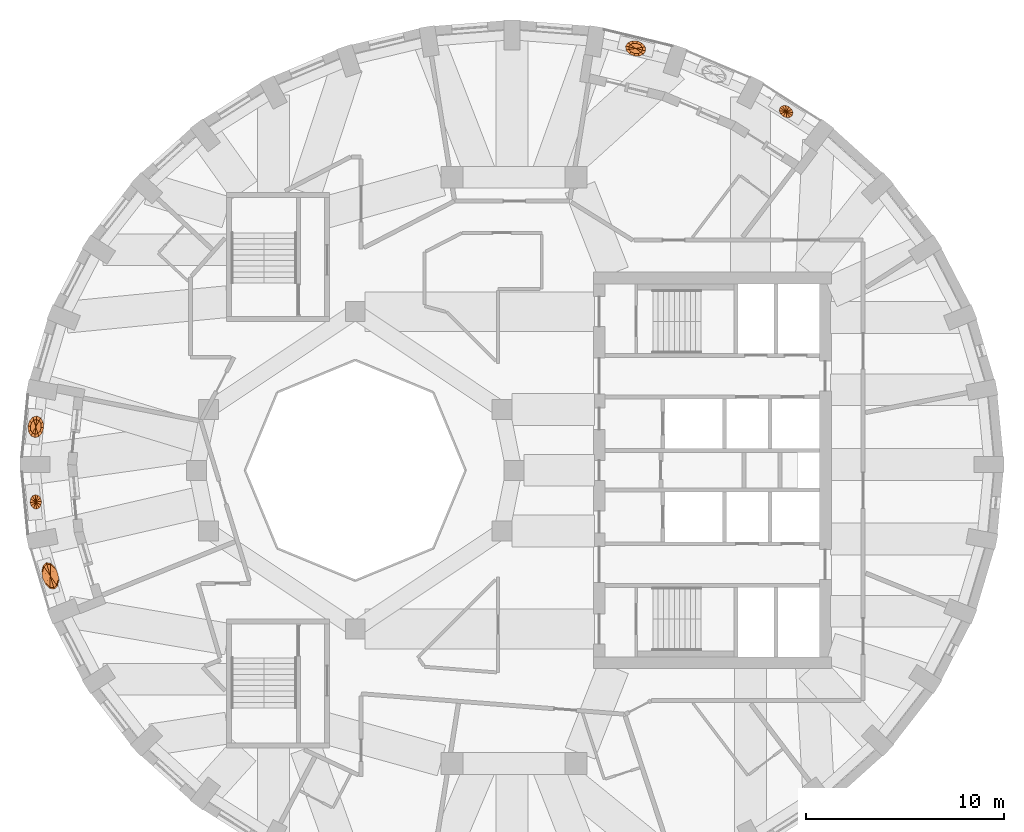
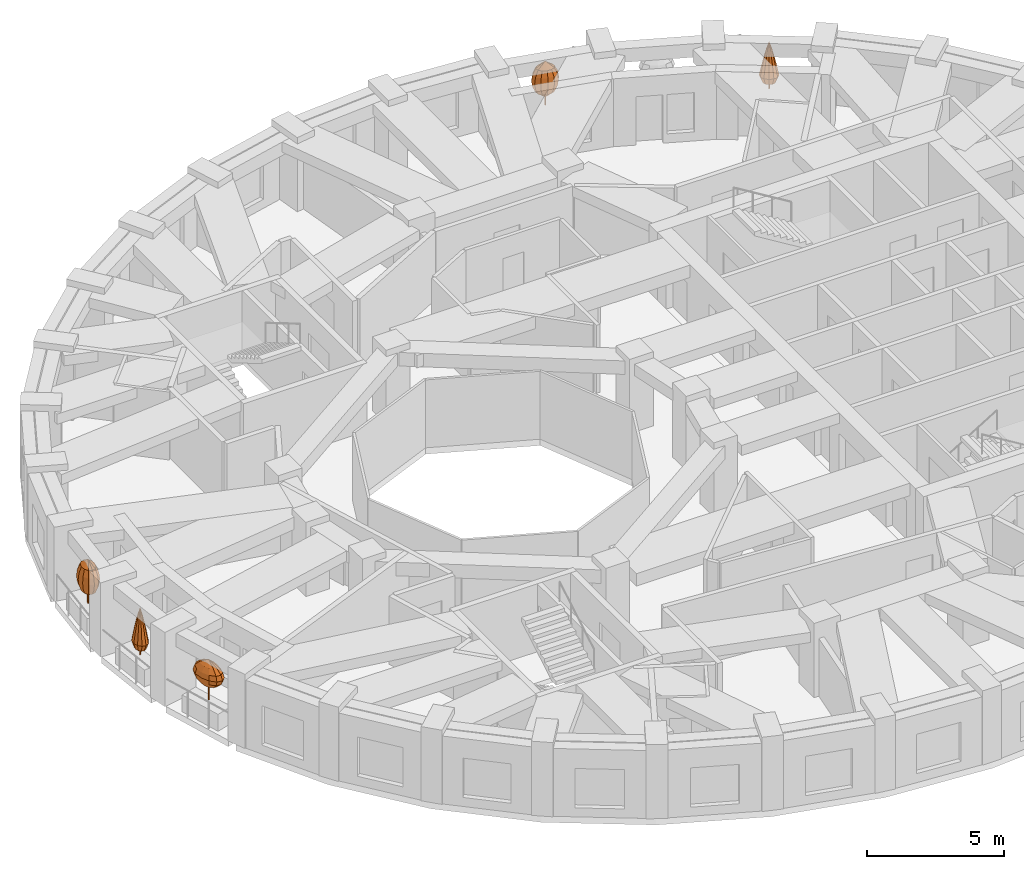
# One storey, part 11 of 12: 5 geographic elements.
"""IFC4 building model written with IfcOpenShell, lengths in metres."""

from ifc_helpers import new_model, si_unit, direction, frame, origin, place, context, subcontext, project, spatial, faceted_brep, material, constituent, constituent_set, type_object, element, save


model = new_model("IFC4")

# Units and contexts
model_context = context("Model", 3, precision=1e-05, world=origin(), true_north=direction((0.0, 1.0)))
body_context = subcontext(model_context, "Body", "Model", "MODEL_VIEW")
ifc_project = project(units=[si_unit("LENGTHUNIT", "METRE"), si_unit("AREAUNIT", "SQUARE_METRE"), si_unit("VOLUMEUNIT", "CUBIC_METRE"), si_unit("PLANEANGLEUNIT", "RADIAN"), si_unit("MASSUNIT", "GRAM", prefix="KILO")], contexts=[model_context])

# Site, building, storey
site_placement = place(None, origin())
site = spatial("IfcSite", under=ifc_project, at=site_placement, CompositionType="ELEMENT")
building_placement = place(site_placement, origin())
building = spatial("IfcBuilding", under=site, at=building_placement, Name="Taillehof Tower", CompositionType="ELEMENT")
storey_placement = place(building_placement, frame((0.0, 0.0, 233.300048828125)))
storey = spatial("IfcBuildingStorey", under=building, at=storey_placement, Name="L66", CompositionType="ELEMENT", Elevation=233.300048828125)

# Geographic elements
ifc_material_1 = material(Name="Tree bark", Category="timber")
ifc_constituent_1 = constituent(ifc_material_1, Name="Trunk", Category="timber")
ifc_material_2 = material(Name="Tree foliage")
ifc_constituent_2 = constituent(ifc_material_2, Name="Crown")
ifc_constituent_set_1 = constituent_set(constituents=[ifc_constituent_1, ifc_constituent_2], Name="Tree TR2 Fastigiate yew")
geographic_element_type_1 = type_object("IfcGeographicElementType", Name="Tree TR2 Fastigiate yew", PredefinedType="USERDEFINED", material=ifc_constituent_set_1)
geographic_element_1_placement = place(storey_placement, frame((-24.103271484375, 2.192626953125, 0.75)))
element("IfcGeographicElement", 1, at=geographic_element_1_placement, inside=storey, type_object=geographic_element_type_1, Name="Tree TR2 Fastigiate yew", ObjectType="TREE", PredefinedType="USERDEFINED", context=body_context, shape_type="Brep", body=[
    faceted_brep([(0.034912109375, 0.0, 0.0), (0.024658203125, 0.024658203125, 0.0), (0.024658203125, 0.024658203125, 0.909912109375), (0.034912109375, 0.0, 0.909912109375), (0.0, 0.034912109375, 0.0), (0.0, 0.034912109375, 0.909912109375), (-0.024658203125, 0.024658203125, 0.0), (-0.024658203125, 0.024658203125, 0.909912109375), (-0.034912109375, 0.0, 0.0), (-0.034912109375, 0.0, 0.909912109375), (-0.024658203125, -0.024658203125, 0.0), (-0.024658203125, -0.024658203125, 0.909912109375), (0.0, -0.034912109375, 0.0), (0.0, -0.034912109375, 0.909912109375), (0.024658203125, -0.024658203125, 0.0), (0.024658203125, -0.024658203125, 0.909912109375)], [[[0, 1, 2, 3]], [[1, 4, 5, 2]], [[4, 6, 7, 5]], [[6, 8, 9, 7]], [[8, 10, 11, 9]], [[10, 12, 13, 11]], [[12, 14, 15, 13]], [[14, 0, 3, 15]], [[14, 12, 10, 8, 6, 4, 1, 0]], [[3, 2, 5, 7, 9, 11, 13, 15]]]),
    faceted_brep([(0.0, 0.0, 0.35009765625), (0.1044921875, -0.3369140625, 0.61669921875), (-0.036376953125, -0.373779296875, 0.61669921875), (0.21728515625, -0.209716796875, 0.61669921875), (0.27197265625, -0.0263671875, 0.61669921875), (0.253662109375, 0.1640625, 0.61669921875), (0.16748046875, 0.310546875, 0.61669921875), (0.036376953125, 0.373779296875, 0.61669921875), (-0.1044921875, 0.3369140625, 0.61669921875), (-0.21728515625, 0.209716796875, 0.61669921875), (-0.27197265625, 0.0263671875, 0.61669921875), (-0.253662109375, -0.1640625, 0.61669921875), (-0.16748046875, -0.310546875, 0.61669921875), (0.141357421875, -0.455810546875, 0.88330078125), (-0.049072265625, -0.505859375, 0.88330078125), (0.2939453125, -0.283935546875, 0.88330078125), (0.367919921875, -0.03564453125, 0.88330078125), (0.343017578125, 0.221923828125, 0.88330078125), (0.2265625, 0.420166015625, 0.88330078125), (0.049072265625, 0.505859375, 0.88330078125), (-0.141357421875, 0.455810546875, 0.88330078125), (-0.2939453125, 0.283935546875, 0.88330078125), (-0.367919921875, 0.03564453125, 0.88330078125), (-0.343017578125, -0.221923828125, 0.88330078125), (-0.2265625, -0.420166015625, 0.88330078125), (0.153076171875, -0.493408203125, 1.14990234375), (-0.05322265625, -0.54736328125, 1.14990234375), (0.318115234375, -0.30712890625, 1.14990234375), (0.398193359375, -0.03857421875, 1.14990234375), (0.371337890625, 0.240234375, 1.14990234375), (0.2451171875, 0.454833984375, 1.14990234375), (0.05322265625, 0.54736328125, 1.14990234375), (-0.153076171875, 0.493408203125, 1.14990234375), (-0.318115234375, 0.30712890625, 1.14990234375), (-0.398193359375, 0.03857421875, 1.14990234375), (-0.371337890625, -0.240234375, 1.14990234375), (-0.2451171875, -0.454833984375, 1.14990234375), (0.141357421875, -0.455810546875, 1.416748046875), (-0.049072265625, -0.505859375, 1.416748046875), (0.2939453125, -0.283935546875, 1.416748046875), (0.367919921875, -0.03564453125, 1.416748046875), (0.343017578125, 0.221923828125, 1.416748046875), (0.2265625, 0.420166015625, 1.416748046875), (0.049072265625, 0.505859375, 1.416748046875), (-0.141357421875, 0.455810546875, 1.416748046875), (-0.2939453125, 0.283935546875, 1.416748046875), (-0.367919921875, 0.03564453125, 1.416748046875), (-0.343017578125, -0.221923828125, 1.416748046875), (-0.2265625, -0.420166015625, 1.416748046875), (0.1044921875, -0.3369140625, 1.683349609375), (-0.036376953125, -0.373779296875, 1.683349609375), (0.21728515625, -0.209716796875, 1.683349609375), (0.27197265625, -0.0263671875, 1.683349609375), (0.253662109375, 0.1640625, 1.683349609375), (0.16748046875, 0.310546875, 1.683349609375), (0.036376953125, 0.373779296875, 1.683349609375), (-0.1044921875, 0.3369140625, 1.683349609375), (-0.21728515625, 0.209716796875, 1.683349609375), (-0.27197265625, 0.0263671875, 1.683349609375), (-0.253662109375, -0.1640625, 1.683349609375), (-0.16748046875, -0.310546875, 1.683349609375), (0.0, 0.0, 1.949951171875)], [[[0, 1, 2]], [[0, 3, 1]], [[0, 4, 3]], [[0, 5, 4]], [[0, 6, 5]], [[0, 7, 6]], [[0, 8, 7]], [[0, 9, 8]], [[0, 10, 9]], [[0, 11, 10]], [[0, 12, 11]], [[0, 2, 12]], [[2, 1, 13, 14]], [[1, 3, 15, 13]], [[3, 4, 16, 15]], [[4, 5, 17, 16]], [[5, 6, 18, 17]], [[6, 7, 19, 18]], [[7, 8, 20, 19]], [[8, 9, 21, 20]], [[9, 10, 22, 21]], [[10, 11, 23, 22]], [[11, 12, 24, 23]], [[12, 2, 14, 24]], [[14, 13, 25, 26]], [[13, 15, 27, 25]], [[15, 16, 28, 27]], [[16, 17, 29, 28]], [[17, 18, 30, 29]], [[18, 19, 31, 30]], [[19, 20, 32, 31]], [[20, 21, 33, 32]], [[21, 22, 34, 33]], [[22, 23, 35, 34]], [[23, 24, 36, 35]], [[24, 14, 26, 36]], [[26, 25, 37, 38]], [[25, 27, 39, 37]], [[27, 28, 40, 39]], [[28, 29, 41, 40]], [[29, 30, 42, 41]], [[30, 31, 43, 42]], [[31, 32, 44, 43]], [[32, 33, 45, 44]], [[33, 34, 46, 45]], [[34, 35, 47, 46]], [[35, 36, 48, 47]], [[36, 26, 38, 48]], [[38, 37, 49, 50]], [[37, 39, 51, 49]], [[39, 40, 52, 51]], [[40, 41, 53, 52]], [[41, 42, 54, 53]], [[42, 43, 55, 54]], [[43, 44, 56, 55]], [[44, 45, 57, 56]], [[45, 46, 58, 57]], [[46, 47, 59, 58]], [[47, 48, 60, 59]], [[48, 38, 50, 60]], [[50, 49, 61]], [[49, 51, 61]], [[51, 52, 61]], [[52, 53, 61]], [[53, 54, 61]], [[54, 55, 61]], [[55, 56, 61]], [[56, 57, 61]], [[57, 58, 61]], [[58, 59, 61]], [[59, 60, 61]], [[60, 50, 61]]]),
])
geographic_element_2_placement = place(storey_placement, frame((6.1337890625, 21.266357421875, 0.75)))
element("IfcGeographicElement", 2, at=geographic_element_2_placement, inside=storey, type_object=geographic_element_type_1, Name="Tree TR2 Fastigiate yew", ObjectType="TREE", PredefinedType="USERDEFINED", context=body_context, shape_type="Brep", body=[
    faceted_brep([(0.034912109375, 0.0, 0.0), (0.024658203125, 0.024658203125, 0.0), (0.024658203125, 0.024658203125, 0.909912109375), (0.034912109375, 0.0, 0.909912109375), (0.0, 0.034912109375, 0.0), (0.0, 0.034912109375, 0.909912109375), (-0.024658203125, 0.024658203125, 0.0), (-0.024658203125, 0.024658203125, 0.909912109375), (-0.034912109375, 0.0, 0.0), (-0.034912109375, 0.0, 0.909912109375), (-0.024658203125, -0.024658203125, 0.0), (-0.024658203125, -0.024658203125, 0.909912109375), (0.0, -0.034912109375, 0.0), (0.0, -0.034912109375, 0.909912109375), (0.024658203125, -0.024658203125, 0.0), (0.024658203125, -0.024658203125, 0.909912109375)], [[[0, 1, 2, 3]], [[1, 4, 5, 2]], [[4, 6, 7, 5]], [[6, 8, 9, 7]], [[8, 10, 11, 9]], [[10, 12, 13, 11]], [[12, 14, 15, 13]], [[14, 0, 3, 15]], [[14, 12, 10, 8, 6, 4, 1, 0]], [[3, 2, 5, 7, 9, 11, 13, 15]]]),
    faceted_brep([(0.0, 0.0, 0.35009765625), (-0.330810546875, -0.0537109375, 0.61669921875), (-0.346923828125, 0.083740234375, 0.61669921875), (-0.22607421875, -0.1767578125, 0.61669921875), (-0.060791015625, -0.252197265625, 0.61669921875), (0.120849609375, -0.26025390625, 0.61669921875), (0.27001953125, -0.19873046875, 0.61669921875), (0.346923828125, -0.083740234375, 0.61669921875), (0.330810546875, 0.0537109375, 0.61669921875), (0.22607421875, 0.1767578125, 0.61669921875), (0.060791015625, 0.252197265625, 0.61669921875), (-0.120849609375, 0.26025390625, 0.61669921875), (-0.27001953125, 0.19873046875, 0.61669921875), (-0.447509765625, -0.072509765625, 0.88330078125), (-0.46923828125, 0.11328125, 0.88330078125), (-0.305908203125, -0.239013671875, 0.88330078125), (-0.082275390625, -0.34130859375, 0.88330078125), (0.163330078125, -0.352294921875, 0.88330078125), (0.365234375, -0.268798828125, 0.88330078125), (0.46923828125, -0.11328125, 0.88330078125), (0.447509765625, 0.072509765625, 0.88330078125), (0.305908203125, 0.239013671875, 0.88330078125), (0.082275390625, 0.34130859375, 0.88330078125), (-0.163330078125, 0.352294921875, 0.88330078125), (-0.365234375, 0.268798828125, 0.88330078125), (-0.484375, -0.07861328125, 1.14990234375), (-0.5078125, 0.12255859375, 1.14990234375), (-0.3310546875, -0.258544921875, 1.14990234375), (-0.089111328125, -0.369384765625, 1.14990234375), (0.1767578125, -0.381103515625, 1.14990234375), (0.395263671875, -0.290771484375, 1.14990234375), (0.5078125, -0.12255859375, 1.14990234375), (0.484375, 0.07861328125, 1.14990234375), (0.3310546875, 0.258544921875, 1.14990234375), (0.089111328125, 0.369384765625, 1.14990234375), (-0.1767578125, 0.381103515625, 1.14990234375), (-0.395263671875, 0.290771484375, 1.14990234375), (-0.447509765625, -0.072509765625, 1.416748046875), (-0.46923828125, 0.11328125, 1.416748046875), (-0.305908203125, -0.239013671875, 1.416748046875), (-0.082275390625, -0.34130859375, 1.416748046875), (0.163330078125, -0.352294921875, 1.416748046875), (0.365234375, -0.268798828125, 1.416748046875), (0.46923828125, -0.11328125, 1.416748046875), (0.447509765625, 0.072509765625, 1.416748046875), (0.305908203125, 0.239013671875, 1.416748046875), (0.082275390625, 0.34130859375, 1.416748046875), (-0.163330078125, 0.352294921875, 1.416748046875), (-0.365234375, 0.268798828125, 1.416748046875), (-0.330810546875, -0.0537109375, 1.683349609375), (-0.346923828125, 0.083740234375, 1.683349609375), (-0.22607421875, -0.1767578125, 1.683349609375), (-0.060791015625, -0.252197265625, 1.683349609375), (0.120849609375, -0.26025390625, 1.683349609375), (0.27001953125, -0.19873046875, 1.683349609375), (0.346923828125, -0.083740234375, 1.683349609375), (0.330810546875, 0.0537109375, 1.683349609375), (0.22607421875, 0.1767578125, 1.683349609375), (0.060791015625, 0.252197265625, 1.683349609375), (-0.120849609375, 0.26025390625, 1.683349609375), (-0.27001953125, 0.19873046875, 1.683349609375), (0.0, 0.0, 1.949951171875)], [[[0, 1, 2]], [[0, 3, 1]], [[0, 4, 3]], [[0, 5, 4]], [[0, 6, 5]], [[0, 7, 6]], [[0, 8, 7]], [[0, 9, 8]], [[0, 10, 9]], [[0, 11, 10]], [[0, 12, 11]], [[0, 2, 12]], [[2, 1, 13, 14]], [[1, 3, 15, 13]], [[3, 4, 16, 15]], [[4, 5, 17, 16]], [[5, 6, 18, 17]], [[6, 7, 19, 18]], [[7, 8, 20, 19]], [[8, 9, 21, 20]], [[9, 10, 22, 21]], [[10, 11, 23, 22]], [[11, 12, 24, 23]], [[12, 2, 14, 24]], [[14, 13, 25, 26]], [[13, 15, 27, 25]], [[15, 16, 28, 27]], [[16, 17, 29, 28]], [[17, 18, 30, 29]], [[18, 19, 31, 30]], [[19, 20, 32, 31]], [[20, 21, 33, 32]], [[21, 22, 34, 33]], [[22, 23, 35, 34]], [[23, 24, 36, 35]], [[24, 14, 26, 36]], [[26, 25, 37, 38]], [[25, 27, 39, 37]], [[27, 28, 40, 39]], [[28, 29, 41, 40]], [[29, 30, 42, 41]], [[30, 31, 43, 42]], [[31, 32, 44, 43]], [[32, 33, 45, 44]], [[33, 34, 46, 45]], [[34, 35, 47, 46]], [[35, 36, 48, 47]], [[36, 26, 38, 48]], [[38, 37, 49, 50]], [[37, 39, 51, 49]], [[39, 40, 52, 51]], [[40, 41, 53, 52]], [[41, 42, 54, 53]], [[42, 43, 55, 54]], [[43, 44, 56, 55]], [[44, 45, 57, 56]], [[45, 46, 58, 57]], [[46, 47, 59, 58]], [[47, 48, 60, 59]], [[48, 38, 50, 60]], [[50, 49, 61]], [[49, 51, 61]], [[51, 52, 61]], [[52, 53, 61]], [[53, 54, 61]], [[54, 55, 61]], [[55, 56, 61]], [[56, 57, 61]], [[57, 58, 61]], [[58, 59, 61]], [[59, 60, 61]], [[60, 50, 61]]]),
])
ifc_material_3 = material(Name="Tree bark", Category="timber")
ifc_constituent_3 = constituent(ifc_material_3, Name="Trunk", Category="timber")
ifc_material_4 = material(Name="Tree foliage")
ifc_constituent_4 = constituent(ifc_material_4, Name="Crown")
ifc_constituent_set_2 = constituent_set(constituents=[ifc_constituent_3, ifc_constituent_4], Name="Tree TR4 Sea buckthorn standard")
geographic_element_type_2 = type_object("IfcGeographicElementType", Name="Tree TR4 Sea buckthorn standard", PredefinedType="USERDEFINED", material=ifc_constituent_set_2)
geographic_element_3_placement = place(storey_placement, frame((-23.373291015625, -5.3203125, 0.75)))
element("IfcGeographicElement", 3, at=geographic_element_3_placement, inside=storey, type_object=geographic_element_type_2, Name="Tree TR4 Sea buckthorn standard", ObjectType="TREE", PredefinedType="USERDEFINED", context=body_context, shape_type="Brep", body=[
    faceted_brep([(0.030029296875, 0.0, 0.0), (0.021240234375, 0.021240234375, 0.0), (0.021240234375, 0.021240234375, 0.98095703125), (0.030029296875, 0.0, 0.98095703125), (0.0, 0.030029296875, 0.0), (0.0, 0.030029296875, 0.98095703125), (-0.021240234375, 0.021240234375, 0.0), (-0.021240234375, 0.021240234375, 0.98095703125), (-0.030029296875, 0.0, 0.0), (-0.030029296875, 0.0, 0.98095703125), (-0.021240234375, -0.021240234375, 0.0), (-0.021240234375, -0.021240234375, 0.98095703125), (0.0, -0.030029296875, 0.0), (0.0, -0.030029296875, 0.98095703125), (0.021240234375, -0.021240234375, 0.0), (0.021240234375, -0.021240234375, 0.98095703125)], [[[0, 1, 2, 3]], [[1, 4, 5, 2]], [[4, 6, 7, 5]], [[6, 8, 9, 7]], [[8, 10, 11, 9]], [[10, 12, 13, 11]], [[12, 14, 15, 13]], [[14, 0, 3, 15]], [[14, 12, 10, 8, 6, 4, 1, 0]], [[3, 2, 5, 7, 9, 11, 13, 15]]]),
    faceted_brep([(0.0, 0.0, 0.5400390625), (0.20947265625, -0.301025390625, 0.75), (0.11474609375, -0.38525390625, 0.75), (0.248046875, -0.135986328125, 0.75), (0.22021484375, 0.0654296875, 0.75), (0.13330078125, 0.24951171875, 0.75), (0.0107421875, 0.366455078125, 0.75), (-0.11474609375, 0.38525390625, 0.75), (-0.20947265625, 0.301025390625, 0.75), (-0.248046875, 0.135986328125, 0.75), (-0.22021484375, -0.0654296875, 0.75), (-0.13330078125, -0.24951171875, 0.75), (-0.0107421875, -0.366455078125, 0.75), (0.324951171875, -0.467041015625, 0.9599609375), (0.177978515625, -0.597900390625, 0.9599609375), (0.385009765625, -0.2109375, 0.9599609375), (0.341796875, 0.101806640625, 0.9599609375), (0.20703125, 0.386962890625, 0.9599609375), (0.016845703125, 0.568603515625, 0.9599609375), (-0.177978515625, 0.597900390625, 0.9599609375), (-0.324951171875, 0.467041015625, 0.9599609375), (-0.385009765625, 0.2109375, 0.9599609375), (-0.341796875, -0.101806640625, 0.9599609375), (-0.20703125, -0.386962890625, 0.9599609375), (-0.016845703125, -0.568603515625, 0.9599609375), (0.364501953125, -0.52392578125, 1.169921875), (0.19970703125, -0.6708984375, 1.169921875), (0.431884765625, -0.236572265625, 1.169921875), (0.38330078125, 0.114013671875, 1.169921875), (0.232177734375, 0.434326171875, 1.169921875), (0.018798828125, 0.63818359375, 1.169921875), (-0.19970703125, 0.6708984375, 1.169921875), (-0.364501953125, 0.52392578125, 1.169921875), (-0.431884765625, 0.236572265625, 1.169921875), (-0.38330078125, -0.114013671875, 1.169921875), (-0.232177734375, -0.434326171875, 1.169921875), (-0.018798828125, -0.63818359375, 1.169921875), (0.324951171875, -0.467041015625, 1.3798828125), (0.177978515625, -0.597900390625, 1.3798828125), (0.385009765625, -0.2109375, 1.3798828125), (0.341796875, 0.101806640625, 1.3798828125), (0.20703125, 0.386962890625, 1.3798828125), (0.016845703125, 0.568603515625, 1.3798828125), (-0.177978515625, 0.597900390625, 1.3798828125), (-0.324951171875, 0.467041015625, 1.3798828125), (-0.385009765625, 0.2109375, 1.3798828125), (-0.341796875, -0.101806640625, 1.3798828125), (-0.20703125, -0.386962890625, 1.3798828125), (-0.016845703125, -0.568603515625, 1.3798828125), (0.20947265625, -0.301025390625, 1.590087890625), (0.11474609375, -0.38525390625, 1.590087890625), (0.248046875, -0.135986328125, 1.590087890625), (0.22021484375, 0.0654296875, 1.590087890625), (0.13330078125, 0.24951171875, 1.590087890625), (0.0107421875, 0.366455078125, 1.590087890625), (-0.11474609375, 0.38525390625, 1.590087890625), (-0.20947265625, 0.301025390625, 1.590087890625), (-0.248046875, 0.135986328125, 1.590087890625), (-0.22021484375, -0.0654296875, 1.590087890625), (-0.13330078125, -0.24951171875, 1.590087890625), (-0.0107421875, -0.366455078125, 1.590087890625), (0.0, 0.0, 1.800048828125)], [[[0, 1, 2]], [[0, 3, 1]], [[0, 4, 3]], [[0, 5, 4]], [[0, 6, 5]], [[0, 7, 6]], [[0, 8, 7]], [[0, 9, 8]], [[0, 10, 9]], [[0, 11, 10]], [[0, 12, 11]], [[0, 2, 12]], [[2, 1, 13, 14]], [[1, 3, 15, 13]], [[3, 4, 16, 15]], [[4, 5, 17, 16]], [[5, 6, 18, 17]], [[6, 7, 19, 18]], [[7, 8, 20, 19]], [[8, 9, 21, 20]], [[9, 10, 22, 21]], [[10, 11, 23, 22]], [[11, 12, 24, 23]], [[12, 2, 14, 24]], [[14, 13, 25, 26]], [[13, 15, 27, 25]], [[15, 16, 28, 27]], [[16, 17, 29, 28]], [[17, 18, 30, 29]], [[18, 19, 31, 30]], [[19, 20, 32, 31]], [[20, 21, 33, 32]], [[21, 22, 34, 33]], [[22, 23, 35, 34]], [[23, 24, 36, 35]], [[24, 14, 26, 36]], [[26, 25, 37, 38]], [[25, 27, 39, 37]], [[27, 28, 40, 39]], [[28, 29, 41, 40]], [[29, 30, 42, 41]], [[30, 31, 43, 42]], [[31, 32, 44, 43]], [[32, 33, 45, 44]], [[33, 34, 46, 45]], [[34, 35, 47, 46]], [[35, 36, 48, 47]], [[36, 26, 38, 48]], [[38, 37, 49, 50]], [[37, 39, 51, 49]], [[39, 40, 52, 51]], [[40, 41, 53, 52]], [[41, 42, 54, 53]], [[42, 43, 55, 54]], [[43, 44, 56, 55]], [[44, 45, 57, 56]], [[45, 46, 58, 57]], [[46, 47, 59, 58]], [[47, 48, 60, 59]], [[48, 38, 50, 60]], [[50, 49, 61]], [[49, 51, 61]], [[51, 52, 61]], [[52, 53, 61]], [[53, 54, 61]], [[54, 55, 61]], [[55, 56, 61]], [[56, 57, 61]], [[57, 58, 61]], [[58, 59, 61]], [[59, 60, 61]], [[60, 50, 61]]]),
])
ifc_material_5 = material(Name="Tree bark", Category="timber")
ifc_constituent_5 = constituent(ifc_material_5, Name="Trunk", Category="timber")
ifc_material_6 = material(Name="Tree foliage")
ifc_constituent_6 = constituent(ifc_material_6, Name="Crown")
ifc_constituent_set_3 = constituent_set(constituents=[ifc_constituent_5, ifc_constituent_6], Name="Tree TR5 Columnar juniper")
geographic_element_type_3 = type_object("IfcGeographicElementType", Name="Tree TR5 Columnar juniper", PredefinedType="USERDEFINED", material=ifc_constituent_set_3)
geographic_element_4_placement = place(storey_placement, frame((-24.103271484375, -1.592529296875, 0.75)))
element("IfcGeographicElement", 4, at=geographic_element_4_placement, inside=storey, type_object=geographic_element_type_3, Name="Tree TR5 Columnar juniper", ObjectType="TREE", PredefinedType="USERDEFINED", context=body_context, shape_type="Brep", body=[
    faceted_brep([(0.02490234375, 0.0, 0.0), (0.017578125, 0.017578125, 0.0), (0.017578125, 0.017578125, 0.929931640625), (0.02490234375, 0.0, 0.929931640625), (0.0, 0.02490234375, 0.0), (0.0, 0.02490234375, 0.929931640625), (-0.017578125, 0.017578125, 0.0), (-0.017578125, 0.017578125, 0.929931640625), (-0.02490234375, 0.0, 0.0), (-0.02490234375, 0.0, 0.929931640625), (-0.017578125, -0.017578125, 0.0), (-0.017578125, -0.017578125, 0.929931640625), (0.0, -0.02490234375, 0.0), (0.0, -0.02490234375, 0.929931640625), (0.017578125, -0.017578125, 0.0), (0.017578125, -0.017578125, 0.929931640625)], [[[0, 1, 2, 3]], [[1, 4, 5, 2]], [[4, 6, 7, 5]], [[6, 8, 9, 7]], [[8, 10, 11, 9]], [[10, 12, 13, 11]], [[12, 14, 15, 13]], [[14, 0, 3, 15]], [[14, 12, 10, 8, 6, 4, 1, 0]], [[3, 2, 5, 7, 9, 11, 13, 15]]]),
    faceted_brep([(0.02392578125, -0.246337890625, 0.300048828125), (0.116455078125, -0.2041015625, 0.300048828125), (0.174072265625, -0.3046875, 0.60009765625), (0.03564453125, -0.36767578125, 0.60009765625), (0.177978515625, -0.10693359375, 0.300048828125), (0.265625, -0.159912109375, 0.60009765625), (0.191650390625, 0.0185546875, 0.300048828125), (0.2861328125, 0.02783203125, 0.60009765625), (0.154052734375, 0.139404296875, 0.300048828125), (0.229736328125, 0.2080078125, 0.60009765625), (0.074951171875, 0.22265625, 0.300048828125), (0.112060546875, 0.332275390625, 0.60009765625), (-0.02392578125, 0.246337890625, 0.300048828125), (-0.03564453125, 0.36767578125, 0.60009765625), (-0.116455078125, 0.2041015625, 0.300048828125), (-0.174072265625, 0.3046875, 0.60009765625), (-0.177978515625, 0.10693359375, 0.300048828125), (-0.265625, 0.159912109375, 0.60009765625), (-0.191650390625, -0.0185546875, 0.300048828125), (-0.2861328125, -0.02783203125, 0.60009765625), (-0.154052734375, -0.139404296875, 0.300048828125), (-0.229736328125, -0.2080078125, 0.60009765625), (-0.074951171875, -0.22265625, 0.300048828125), (-0.112060546875, -0.332275390625, 0.60009765625), (0.1455078125, -0.2548828125, 0.89990234375), (0.02978515625, -0.3076171875, 0.89990234375), (0.22216796875, -0.1337890625, 0.89990234375), (0.2392578125, 0.023193359375, 0.89990234375), (0.1923828125, 0.173828125, 0.89990234375), (0.09375, 0.278076171875, 0.89990234375), (-0.02978515625, 0.3076171875, 0.89990234375), (-0.1455078125, 0.2548828125, 0.89990234375), (-0.22216796875, 0.1337890625, 0.89990234375), (-0.2392578125, -0.023193359375, 0.89990234375), (-0.1923828125, -0.173828125, 0.89990234375), (-0.09375, -0.278076171875, 0.89990234375), (0.11572265625, -0.202392578125, 1.199951171875), (0.023681640625, -0.244384765625, 1.199951171875), (0.176513671875, -0.106201171875, 1.199951171875), (0.190185546875, 0.0185546875, 1.199951171875), (0.15283203125, 0.13818359375, 1.199951171875), (0.074462890625, 0.220947265625, 1.199951171875), (-0.023681640625, 0.244384765625, 1.199951171875), (-0.11572265625, 0.202392578125, 1.199951171875), (-0.176513671875, 0.106201171875, 1.199951171875), (-0.190185546875, -0.0185546875, 1.199951171875), (-0.15283203125, -0.13818359375, 1.199951171875), (-0.074462890625, -0.220947265625, 1.199951171875), (0.08349609375, -0.146240234375, 1.5), (0.01708984375, -0.1767578125, 1.5), (0.127685546875, -0.07666015625, 1.5), (0.137451171875, 0.013427734375, 1.5), (0.1103515625, 0.099853515625, 1.5), (0.053955078125, 0.15966796875, 1.5), (-0.01708984375, 0.1767578125, 1.5), (-0.08349609375, 0.146240234375, 1.5), (-0.127685546875, 0.07666015625, 1.5), (-0.137451171875, -0.013427734375, 1.5), (-0.1103515625, -0.099853515625, 1.5), (-0.053955078125, -0.15966796875, 1.5), (0.048095703125, -0.083984375, 1.800048828125), (0.009765625, -0.1015625, 1.800048828125), (0.0732421875, -0.044189453125, 1.800048828125), (0.078857421875, 0.007568359375, 1.800048828125), (0.0634765625, 0.057373046875, 1.800048828125), (0.031005859375, 0.091796875, 1.800048828125), (-0.009765625, 0.1015625, 1.800048828125), (-0.048095703125, 0.083984375, 1.800048828125), (-0.0732421875, 0.044189453125, 1.800048828125), (-0.078857421875, -0.007568359375, 1.800048828125), (-0.0634765625, -0.057373046875, 1.800048828125), (-0.031005859375, -0.091796875, 1.800048828125), (0.0, 0.0, 2.10009765625)], [[[0, 1, 2, 3]], [[1, 4, 5, 2]], [[4, 6, 7, 5]], [[6, 8, 9, 7]], [[8, 10, 11, 9]], [[10, 12, 13, 11]], [[12, 14, 15, 13]], [[14, 16, 17, 15]], [[16, 18, 19, 17]], [[18, 20, 21, 19]], [[20, 22, 23, 21]], [[22, 0, 3, 23]], [[3, 2, 24, 25]], [[2, 5, 26, 24]], [[5, 7, 27, 26]], [[7, 9, 28, 27]], [[9, 11, 29, 28]], [[11, 13, 30, 29]], [[13, 15, 31, 30]], [[15, 17, 32, 31]], [[17, 19, 33, 32]], [[19, 21, 34, 33]], [[21, 23, 35, 34]], [[23, 3, 25, 35]], [[25, 24, 36, 37]], [[24, 26, 38, 36]], [[26, 27, 39, 38]], [[27, 28, 40, 39]], [[28, 29, 41, 40]], [[29, 30, 42, 41]], [[30, 31, 43, 42]], [[31, 32, 44, 43]], [[32, 33, 45, 44]], [[33, 34, 46, 45]], [[34, 35, 47, 46]], [[35, 25, 37, 47]], [[37, 36, 48, 49]], [[36, 38, 50, 48]], [[38, 39, 51, 50]], [[39, 40, 52, 51]], [[40, 41, 53, 52]], [[41, 42, 54, 53]], [[42, 43, 55, 54]], [[43, 44, 56, 55]], [[44, 45, 57, 56]], [[45, 46, 58, 57]], [[46, 47, 59, 58]], [[47, 37, 49, 59]], [[49, 48, 60, 61]], [[48, 50, 62, 60]], [[50, 51, 63, 62]], [[51, 52, 64, 63]], [[52, 53, 65, 64]], [[53, 54, 66, 65]], [[54, 55, 67, 66]], [[55, 56, 68, 67]], [[56, 57, 69, 68]], [[57, 58, 70, 69]], [[58, 59, 71, 70]], [[59, 49, 61, 71]], [[61, 60, 72]], [[60, 62, 72]], [[62, 63, 72]], [[63, 64, 72]], [[64, 65, 72]], [[65, 66, 72]], [[66, 67, 72]], [[67, 68, 72]], [[68, 69, 72]], [[69, 70, 72]], [[70, 71, 72]], [[71, 61, 72]], [[22, 20, 18, 16, 14, 12, 10, 8, 6, 4, 1, 0]]]),
])
geographic_element_5_placement = place(storey_placement, frame((13.71630859375, 18.08251953125, 0.75)))
element("IfcGeographicElement", 5, at=geographic_element_5_placement, inside=storey, type_object=geographic_element_type_3, Name="Tree TR5 Columnar juniper", ObjectType="TREE", PredefinedType="USERDEFINED", context=body_context, shape_type="Brep", body=[
    faceted_brep([(0.02490234375, 0.0, 0.0), (0.017578125, 0.017578125, 0.0), (0.017578125, 0.017578125, 0.929931640625), (0.02490234375, 0.0, 0.929931640625), (0.0, 0.02490234375, 0.0), (0.0, 0.02490234375, 0.929931640625), (-0.017578125, 0.017578125, 0.0), (-0.017578125, 0.017578125, 0.929931640625), (-0.02490234375, 0.0, 0.0), (-0.02490234375, 0.0, 0.929931640625), (-0.017578125, -0.017578125, 0.0), (-0.017578125, -0.017578125, 0.929931640625), (0.0, -0.02490234375, 0.0), (0.0, -0.02490234375, 0.929931640625), (0.017578125, -0.017578125, 0.0), (0.017578125, -0.017578125, 0.929931640625)], [[[0, 1, 2, 3]], [[1, 4, 5, 2]], [[4, 6, 7, 5]], [[6, 8, 9, 7]], [[8, 10, 11, 9]], [[10, 12, 13, 11]], [[12, 14, 15, 13]], [[14, 0, 3, 15]], [[14, 12, 10, 8, 6, 4, 1, 0]], [[3, 2, 5, 7, 9, 11, 13, 15]]]),
    faceted_brep([(-0.20947265625, 0.132080078125, 0.300048828125), (-0.232666015625, 0.032958984375, 0.300048828125), (-0.347412109375, 0.049072265625, 0.60009765625), (-0.3125, 0.197021484375, 0.60009765625), (-0.193603515625, -0.074951171875, 0.300048828125), (-0.2890625, -0.112060546875, 0.60009765625), (-0.1025390625, -0.162841796875, 0.300048828125), (-0.1533203125, -0.2431640625, 0.60009765625), (0.015869140625, -0.20703125, 0.300048828125), (0.0234375, -0.30908203125, 0.60009765625), (0.1298828125, -0.19580078125, 0.300048828125), (0.194091796875, -0.292236328125, 0.60009765625), (0.20947265625, -0.132080078125, 0.300048828125), (0.3125, -0.197021484375, 0.60009765625), (0.232666015625, -0.032958984375, 0.300048828125), (0.347412109375, -0.049072265625, 0.60009765625), (0.193603515625, 0.074951171875, 0.300048828125), (0.2890625, 0.112060546875, 0.60009765625), (0.1025390625, 0.162841796875, 0.300048828125), (0.1533203125, 0.2431640625, 0.60009765625), (-0.015869140625, 0.20703125, 0.300048828125), (-0.0234375, 0.30908203125, 0.60009765625), (-0.1298828125, 0.19580078125, 0.300048828125), (-0.194091796875, 0.292236328125, 0.60009765625), (-0.29052734375, 0.041015625, 0.89990234375), (-0.261474609375, 0.164794921875, 0.89990234375), (-0.24169921875, -0.09375, 0.89990234375), (-0.128173828125, -0.203369140625, 0.89990234375), (0.019775390625, -0.258544921875, 0.89990234375), (0.162353515625, -0.244384765625, 0.89990234375), (0.261474609375, -0.164794921875, 0.89990234375), (0.29052734375, -0.041015625, 0.89990234375), (0.24169921875, 0.09375, 0.89990234375), (0.128173828125, 0.203369140625, 0.89990234375), (-0.019775390625, 0.258544921875, 0.89990234375), (-0.162353515625, 0.244384765625, 0.89990234375), (-0.230712890625, 0.03271484375, 1.199951171875), (-0.207763671875, 0.130859375, 1.199951171875), (-0.192138671875, -0.074462890625, 1.199951171875), (-0.101806640625, -0.16162109375, 1.199951171875), (0.015625, -0.205322265625, 1.199951171875), (0.12890625, -0.194091796875, 1.199951171875), (0.207763671875, -0.130859375, 1.199951171875), (0.230712890625, -0.03271484375, 1.199951171875), (0.192138671875, 0.074462890625, 1.199951171875), (0.101806640625, 0.16162109375, 1.199951171875), (-0.015625, 0.205322265625, 1.199951171875), (-0.12890625, 0.194091796875, 1.199951171875), (-0.166748046875, 0.023681640625, 1.5), (-0.150146484375, 0.0947265625, 1.5), (-0.138916015625, -0.0537109375, 1.5), (-0.07373046875, -0.11669921875, 1.5), (0.01123046875, -0.1484375, 1.5), (0.09326171875, -0.140380859375, 1.5), (0.150146484375, -0.0947265625, 1.5), (0.166748046875, -0.023681640625, 1.5), (0.138916015625, 0.0537109375, 1.5), (0.07373046875, 0.11669921875, 1.5), (-0.01123046875, 0.1484375, 1.5), (-0.09326171875, 0.140380859375, 1.5), (-0.095947265625, 0.013427734375, 1.800048828125), (-0.086181640625, 0.054443359375, 1.800048828125), (-0.079833984375, -0.031005859375, 1.800048828125), (-0.042236328125, -0.067138671875, 1.800048828125), (0.006591796875, -0.085205078125, 1.800048828125), (0.053466796875, -0.08056640625, 1.800048828125), (0.086181640625, -0.054443359375, 1.800048828125), (0.095947265625, -0.013427734375, 1.800048828125), (0.079833984375, 0.031005859375, 1.800048828125), (0.042236328125, 0.067138671875, 1.800048828125), (-0.006591796875, 0.085205078125, 1.800048828125), (-0.053466796875, 0.08056640625, 1.800048828125), (0.0, 0.0, 2.10009765625)], [[[0, 1, 2, 3]], [[1, 4, 5, 2]], [[4, 6, 7, 5]], [[6, 8, 9, 7]], [[8, 10, 11, 9]], [[10, 12, 13, 11]], [[12, 14, 15, 13]], [[14, 16, 17, 15]], [[16, 18, 19, 17]], [[18, 20, 21, 19]], [[20, 22, 23, 21]], [[22, 0, 3, 23]], [[3, 2, 24, 25]], [[2, 5, 26, 24]], [[5, 7, 27, 26]], [[7, 9, 28, 27]], [[9, 11, 29, 28]], [[11, 13, 30, 29]], [[13, 15, 31, 30]], [[15, 17, 32, 31]], [[17, 19, 33, 32]], [[19, 21, 34, 33]], [[21, 23, 35, 34]], [[23, 3, 25, 35]], [[25, 24, 36, 37]], [[24, 26, 38, 36]], [[26, 27, 39, 38]], [[27, 28, 40, 39]], [[28, 29, 41, 40]], [[29, 30, 42, 41]], [[30, 31, 43, 42]], [[31, 32, 44, 43]], [[32, 33, 45, 44]], [[33, 34, 46, 45]], [[34, 35, 47, 46]], [[35, 25, 37, 47]], [[37, 36, 48, 49]], [[36, 38, 50, 48]], [[38, 39, 51, 50]], [[39, 40, 52, 51]], [[40, 41, 53, 52]], [[41, 42, 54, 53]], [[42, 43, 55, 54]], [[43, 44, 56, 55]], [[44, 45, 57, 56]], [[45, 46, 58, 57]], [[46, 47, 59, 58]], [[47, 37, 49, 59]], [[49, 48, 60, 61]], [[48, 50, 62, 60]], [[50, 51, 63, 62]], [[51, 52, 64, 63]], [[52, 53, 65, 64]], [[53, 54, 66, 65]], [[54, 55, 67, 66]], [[55, 56, 68, 67]], [[56, 57, 69, 68]], [[57, 58, 70, 69]], [[58, 59, 71, 70]], [[59, 49, 61, 71]], [[61, 60, 72]], [[60, 62, 72]], [[62, 63, 72]], [[63, 64, 72]], [[64, 65, 72]], [[65, 66, 72]], [[66, 67, 72]], [[67, 68, 72]], [[68, 69, 72]], [[69, 70, 72]], [[70, 71, 72]], [[71, 61, 72]], [[22, 20, 18, 16, 14, 12, 10, 8, 6, 4, 1, 0]]]),
])

save(model, "model.ifc")
